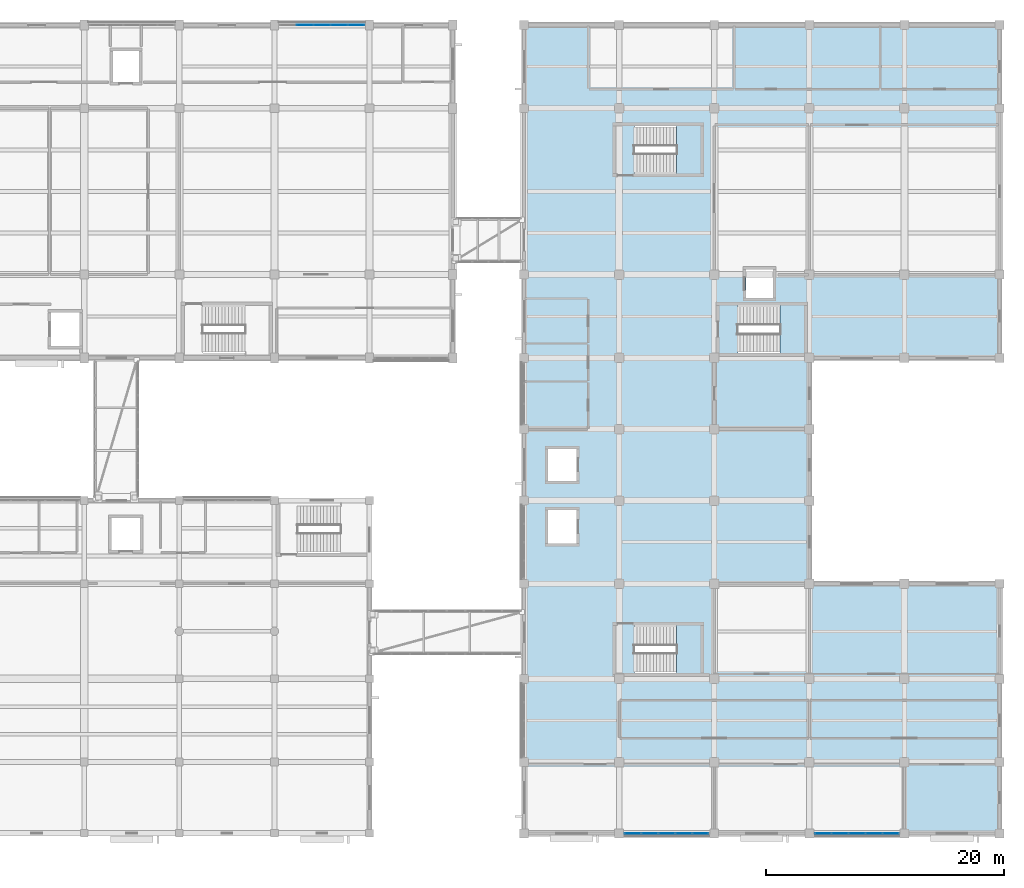
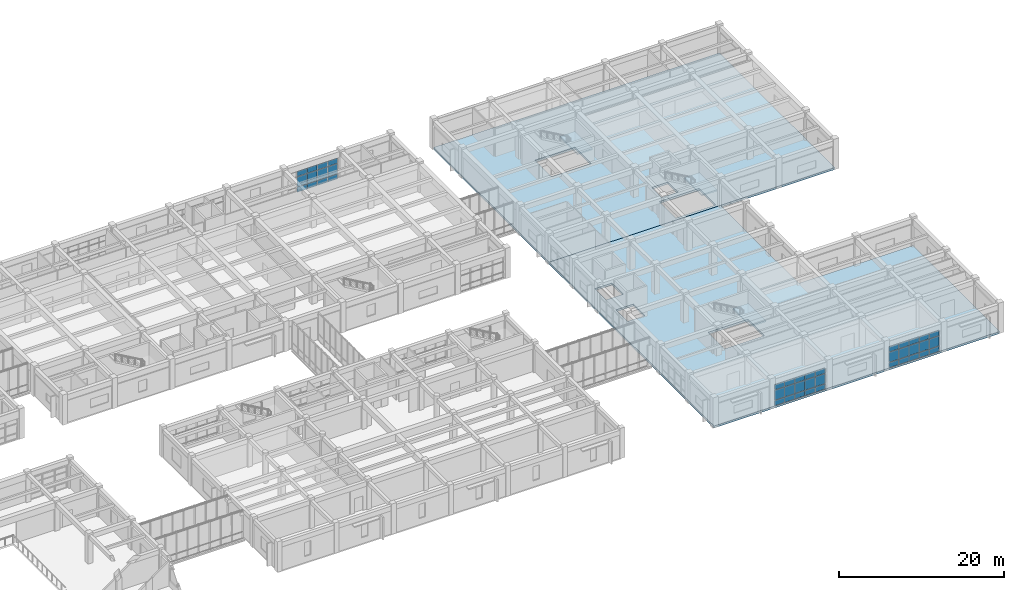
# One storey, part 43 of 70: 42 plates, 5 slabs, 6 elements without a shape of their own.
"""IFC4 building model written with IfcOpenShell, lengths in metres."""

from ifc_helpers import new_model, si_unit, direction, frame, origin, origin_2d, place, context, subcontext, project, spatial, polyline, rectangle, outline, extrude, material, layer, layer_set, type_object, element, aggregate, save


model = new_model("IFC4")

# Units and contexts
model_context = context("Model", 3, precision=1e-05, world=origin(), true_north=direction((0.0, 1.0)))
body_context = subcontext(model_context, "Body", "Model", "MODEL_VIEW")
ifc_project = project(units=[si_unit("LENGTHUNIT", "METRE"), si_unit("AREAUNIT", "SQUARE_METRE"), si_unit("VOLUMEUNIT", "CUBIC_METRE"), si_unit("PLANEANGLEUNIT", "RADIAN"), si_unit("MASSUNIT", "GRAM", prefix="KILO")], contexts=[model_context])

# Site, building, storey
site_placement = place(None, origin())
site = spatial("IfcSite", under=ifc_project, at=site_placement, CompositionType="ELEMENT")
building_placement = place(site_placement, origin())
building = spatial("IfcBuilding", under=site, at=building_placement, Name="Naurynzar Civic Courthouse", CompositionType="ELEMENT")
storey_placement = place(building_placement, frame((0.0, 0.0, 5.39990234375)))
storey = spatial("IfcBuildingStorey", under=building, at=storey_placement, Name="L02", CompositionType="ELEMENT", Elevation=5.39990234375)

# Curtain wall, plates
ifc_material_1 = material(Name="Aluminium 6063-T6", Category="aluminium")
ifc_layer_1 = layer(ifc_material_1, 0.179931640625)
ifc_layer_set_1 = layer_set([ifc_layer_1], Name="CW-UNIT-1500")
curtain_wall_type = type_object("IfcCurtainWallType", Name="CW-UNIT-1500", PredefinedType="NOTDEFINED", material=ifc_layer_set_1)
curtain_wall_1_placement = place(storey_placement, origin())
curtain_wall_1 = element("IfcCurtainWall", 1, at=curtain_wall_1_placement, inside=storey, type_object=curtain_wall_type, Name="V2 unitised curtain wall 22 L02", PredefinedType="NOTDEFINED")
ifc_material_2 = material(Name="Tempered Laminated Low-E Glass", Category="glass")
ifc_layer_2 = layer(ifc_material_2, 0.031982421875)
ifc_layer_set_2 = layer_set([ifc_layer_2], Name="CWP-IGU-32")
plate_type = type_object("IfcPlateType", Name="CWP-IGU-32", PredefinedType="CURTAIN_PANEL", material=ifc_layer_set_2)
plate_1_placement = place(storey_placement, frame((111.56005859375, 72.0, 0.06005859375), z_axis=(0.0, 0.0, 1.0), x_axis=(1.0, 0.0, 0.0)))
plate_1 = element("IfcPlate", 2, at=plate_1_placement, type_object=plate_type, Name="CW-01 panel 2.1", PredefinedType="CURTAIN_PANEL", context=body_context, shape_type="SweptSolid", body=[
    extrude(rectangle(XDim=1.3798828125, YDim=0.031982421875, at=origin_2d()), origin(), (0.0, 0.0, 1.0), 0.760009765625),
])
plate_2_placement = place(storey_placement, frame((111.56005859375, 72.0, 0.8798828125), z_axis=(0.0, 0.0, 1.0), x_axis=(1.0, 0.0, 0.0)))
plate_2 = element("IfcPlate", 3, at=plate_2_placement, type_object=plate_type, Name="CW-01 panel 2.2", PredefinedType="CURTAIN_PANEL", context=body_context, shape_type="SweptSolid", body=[
    extrude(rectangle(XDim=1.3798828125, YDim=0.031982421875, at=origin_2d()), origin(), (0.0, 0.0, 1.0), 1.469970703125),
])
plate_3_placement = place(storey_placement, frame((111.56005859375, 72.0, 2.41015625), z_axis=(0.0, 0.0, 1.0), x_axis=(1.0, 0.0, 0.0)))
plate_3 = element("IfcPlate", 4, at=plate_3_placement, type_object=plate_type, Name="CW-01 panel 2.3", PredefinedType="CURTAIN_PANEL", context=body_context, shape_type="SweptSolid", body=[
    extrude(rectangle(XDim=1.3798828125, YDim=0.031982421875, at=origin_2d()), origin(), (0.0, 0.0, 1.0), 0.760009765625),
])
plate_4_placement = place(storey_placement, frame((113.0, 72.0, 0.06005859375), z_axis=(0.0, 0.0, 1.0), x_axis=(1.0, 0.0, 0.0)))
plate_4 = element("IfcPlate", 5, at=plate_4_placement, type_object=plate_type, Name="CW-01 panel 3.1", PredefinedType="CURTAIN_PANEL", context=body_context, shape_type="SweptSolid", body=[
    extrude(rectangle(XDim=1.3798828125, YDim=0.031982421875, at=origin_2d()), origin(), (0.0, 0.0, 1.0), 0.760009765625),
])
plate_5_placement = place(storey_placement, frame((113.0, 72.0, 0.8798828125), z_axis=(0.0, 0.0, 1.0), x_axis=(1.0, 0.0, 0.0)))
plate_5 = element("IfcPlate", 6, at=plate_5_placement, type_object=plate_type, Name="CW-01 panel 3.2", PredefinedType="CURTAIN_PANEL", context=body_context, shape_type="SweptSolid", body=[
    extrude(rectangle(XDim=1.3798828125, YDim=0.031982421875, at=origin_2d()), origin(), (0.0, 0.0, 1.0), 1.469970703125),
])
plate_6_placement = place(storey_placement, frame((113.0, 72.0, 2.41015625), z_axis=(0.0, 0.0, 1.0), x_axis=(1.0, 0.0, 0.0)))
plate_6 = element("IfcPlate", 7, at=plate_6_placement, type_object=plate_type, Name="CW-01 panel 3.3", PredefinedType="CURTAIN_PANEL", context=body_context, shape_type="SweptSolid", body=[
    extrude(rectangle(XDim=1.3798828125, YDim=0.031982421875, at=origin_2d()), origin(), (0.0, 0.0, 1.0), 0.760009765625),
])
plate_7_placement = place(storey_placement, frame((114.43994140625, 72.0, 0.06005859375), z_axis=(0.0, 0.0, 1.0), x_axis=(1.0, 0.0, 0.0)))
plate_7 = element("IfcPlate", 8, at=plate_7_placement, type_object=plate_type, Name="CW-01 panel 4.1", PredefinedType="CURTAIN_PANEL", context=body_context, shape_type="SweptSolid", body=[
    extrude(rectangle(XDim=1.3798828125, YDim=0.031982421875, at=origin_2d()), origin(), (0.0, 0.0, 1.0), 0.760009765625),
])
plate_8_placement = place(storey_placement, frame((114.43994140625, 72.0, 0.8798828125), z_axis=(0.0, 0.0, 1.0), x_axis=(1.0, 0.0, 0.0)))
plate_8 = element("IfcPlate", 9, at=plate_8_placement, type_object=plate_type, Name="CW-01 panel 4.2", PredefinedType="CURTAIN_PANEL", context=body_context, shape_type="SweptSolid", body=[
    extrude(rectangle(XDim=1.3798828125, YDim=0.031982421875, at=origin_2d()), origin(), (0.0, 0.0, 1.0), 1.469970703125),
])
plate_9_placement = place(storey_placement, frame((114.43994140625, 72.0, 2.41015625), z_axis=(0.0, 0.0, 1.0), x_axis=(1.0, 0.0, 0.0)))
plate_9 = element("IfcPlate", 10, at=plate_9_placement, type_object=plate_type, Name="CW-01 panel 4.3", PredefinedType="CURTAIN_PANEL", context=body_context, shape_type="SweptSolid", body=[
    extrude(rectangle(XDim=1.3798828125, YDim=0.031982421875, at=origin_2d()), origin(), (0.0, 0.0, 1.0), 0.760009765625),
])
plate_10_placement = place(storey_placement, frame((115.864990234375, 72.0, 0.06005859375), z_axis=(0.0, 0.0, 1.0), x_axis=(1.0, 0.0, 0.0)))
plate_10 = element("IfcPlate", 11, at=plate_10_placement, type_object=plate_type, Name="CW-01 panel 5.1", PredefinedType="CURTAIN_PANEL", context=body_context, shape_type="SweptSolid", body=[
    extrude(rectangle(XDim=1.35009765625, YDim=0.031982421875, at=origin_2d()), origin(), (0.0, 0.0, 1.0), 0.760009765625),
])
plate_11_placement = place(storey_placement, frame((115.864990234375, 72.0, 0.8798828125), z_axis=(0.0, 0.0, 1.0), x_axis=(1.0, 0.0, 0.0)))
plate_11 = element("IfcPlate", 12, at=plate_11_placement, type_object=plate_type, Name="CW-01 panel 5.2", PredefinedType="CURTAIN_PANEL", context=body_context, shape_type="SweptSolid", body=[
    extrude(rectangle(XDim=1.35009765625, YDim=0.031982421875, at=origin_2d()), origin(), (0.0, 0.0, 1.0), 1.469970703125),
])
plate_12_placement = place(storey_placement, frame((115.864990234375, 72.0, 2.41015625), z_axis=(0.0, 0.0, 1.0), x_axis=(1.0, 0.0, 0.0)))
plate_12 = element("IfcPlate", 13, at=plate_12_placement, type_object=plate_type, Name="CW-01 panel 5.3", PredefinedType="CURTAIN_PANEL", context=body_context, shape_type="SweptSolid", body=[
    extrude(rectangle(XDim=1.35009765625, YDim=0.031982421875, at=origin_2d()), origin(), (0.0, 0.0, 1.0), 0.760009765625),
])
aggregate(curtain_wall_1, [plate_1, plate_2, plate_3, plate_4, plate_5, plate_6, plate_7, plate_8, plate_9, plate_10, plate_11, plate_12])

curtain_wall_2_placement = place(storey_placement, origin())
curtain_wall_2 = element("IfcCurtainWall", 14, at=curtain_wall_2_placement, inside=storey, type_object=curtain_wall_type, Name="V5 unitised curtain wall 88 L02", PredefinedType="NOTDEFINED")
plate_13_placement = place(storey_placement, frame((160.844970703125, 4.0, 0.06005859375), z_axis=(0.0, 0.0, 1.0), x_axis=(-1.0, 0.0, 0.0)))
plate_13 = element("IfcPlate", 15, at=plate_13_placement, type_object=plate_type, Name="CW-01 panel 1.1", PredefinedType="CURTAIN_PANEL", context=body_context, shape_type="SweptSolid", body=[
    extrude(rectangle(XDim=1.340087890625, YDim=0.031982421875, at=origin_2d()), origin(), (0.0, 0.0, 1.0), 0.760009765625),
])
plate_14_placement = place(storey_placement, frame((160.844970703125, 4.0, 0.8798828125), z_axis=(0.0, 0.0, 1.0), x_axis=(-1.0, 0.0, 0.0)))
plate_14 = element("IfcPlate", 16, at=plate_14_placement, type_object=plate_type, Name="CW-01 panel 1.2", PredefinedType="CURTAIN_PANEL", context=body_context, shape_type="SweptSolid", body=[
    extrude(rectangle(XDim=1.340087890625, YDim=0.031982421875, at=origin_2d()), origin(), (0.0, 0.0, 1.0), 1.469970703125),
])
plate_15_placement = place(storey_placement, frame((160.844970703125, 4.0, 2.41015625), z_axis=(0.0, 0.0, 1.0), x_axis=(-1.0, 0.0, 0.0)))
plate_15 = element("IfcPlate", 17, at=plate_15_placement, type_object=plate_type, Name="CW-01 panel 1.3", PredefinedType="CURTAIN_PANEL", context=body_context, shape_type="SweptSolid", body=[
    extrude(rectangle(XDim=1.340087890625, YDim=0.031982421875, at=origin_2d()), origin(), (0.0, 0.0, 1.0), 0.760009765625),
])
plate_16_placement = place(storey_placement, frame((159.429931640625, 4.0, 0.06005859375), z_axis=(0.0, 0.0, 1.0), x_axis=(-1.0, 0.0, 0.0)))
plate_16 = element("IfcPlate", 18, at=plate_16_placement, type_object=plate_type, Name="CW-01 panel 2.1", PredefinedType="CURTAIN_PANEL", context=body_context, shape_type="SweptSolid", body=[
    extrude(rectangle(XDim=1.3701171875, YDim=0.031982421875, at=origin_2d()), origin(), (0.0, 0.0, 1.0), 0.760009765625),
])
plate_17_placement = place(storey_placement, frame((159.429931640625, 4.0, 0.8798828125), z_axis=(0.0, 0.0, 1.0), x_axis=(-1.0, 0.0, 0.0)))
plate_17 = element("IfcPlate", 19, at=plate_17_placement, type_object=plate_type, Name="CW-01 panel 2.2", PredefinedType="CURTAIN_PANEL", context=body_context, shape_type="SweptSolid", body=[
    extrude(rectangle(XDim=1.3701171875, YDim=0.031982421875, at=origin_2d()), origin(), (0.0, 0.0, 1.0), 1.469970703125),
])
plate_18_placement = place(storey_placement, frame((159.429931640625, 4.0, 2.41015625), z_axis=(0.0, 0.0, 1.0), x_axis=(-1.0, 0.0, 0.0)))
plate_18 = element("IfcPlate", 20, at=plate_18_placement, type_object=plate_type, Name="CW-01 panel 2.3", PredefinedType="CURTAIN_PANEL", context=body_context, shape_type="SweptSolid", body=[
    extrude(rectangle(XDim=1.3701171875, YDim=0.031982421875, at=origin_2d()), origin(), (0.0, 0.0, 1.0), 0.760009765625),
])
plate_19_placement = place(storey_placement, frame((158.0, 4.0, 0.06005859375), z_axis=(0.0, 0.0, 1.0), x_axis=(-1.0, 0.0, 0.0)))
plate_19 = element("IfcPlate", 21, at=plate_19_placement, type_object=plate_type, Name="CW-01 panel 3.1", PredefinedType="CURTAIN_PANEL", context=body_context, shape_type="SweptSolid", body=[
    extrude(rectangle(XDim=1.3701171875, YDim=0.031982421875, at=origin_2d()), origin(), (0.0, 0.0, 1.0), 0.760009765625),
])
plate_20_placement = place(storey_placement, frame((158.0, 4.0, 0.8798828125), z_axis=(0.0, 0.0, 1.0), x_axis=(-1.0, 0.0, 0.0)))
plate_20 = element("IfcPlate", 22, at=plate_20_placement, type_object=plate_type, Name="CW-01 panel 3.2", PredefinedType="CURTAIN_PANEL", context=body_context, shape_type="SweptSolid", body=[
    extrude(rectangle(XDim=1.3701171875, YDim=0.031982421875, at=origin_2d()), origin(), (0.0, 0.0, 1.0), 1.469970703125),
])
plate_21_placement = place(storey_placement, frame((158.0, 4.0, 2.41015625), z_axis=(0.0, 0.0, 1.0), x_axis=(-1.0, 0.0, 0.0)))
plate_21 = element("IfcPlate", 23, at=plate_21_placement, type_object=plate_type, Name="CW-01 panel 3.3", PredefinedType="CURTAIN_PANEL", context=body_context, shape_type="SweptSolid", body=[
    extrude(rectangle(XDim=1.3701171875, YDim=0.031982421875, at=origin_2d()), origin(), (0.0, 0.0, 1.0), 0.760009765625),
])
plate_22_placement = place(storey_placement, frame((156.570068359375, 4.0, 0.06005859375), z_axis=(0.0, 0.0, 1.0), x_axis=(-1.0, 0.0, 0.0)))
plate_22 = element("IfcPlate", 24, at=plate_22_placement, type_object=plate_type, Name="CW-01 panel 4.1", PredefinedType="CURTAIN_PANEL", context=body_context, shape_type="SweptSolid", body=[
    extrude(rectangle(XDim=1.3701171875, YDim=0.031982421875, at=origin_2d()), origin(), (0.0, 0.0, 1.0), 0.760009765625),
])
plate_23_placement = place(storey_placement, frame((156.570068359375, 4.0, 0.8798828125), z_axis=(0.0, 0.0, 1.0), x_axis=(-1.0, 0.0, 0.0)))
plate_23 = element("IfcPlate", 25, at=plate_23_placement, type_object=plate_type, Name="CW-01 panel 4.2", PredefinedType="CURTAIN_PANEL", context=body_context, shape_type="SweptSolid", body=[
    extrude(rectangle(XDim=1.3701171875, YDim=0.031982421875, at=origin_2d()), origin(), (0.0, 0.0, 1.0), 1.469970703125),
])
plate_24_placement = place(storey_placement, frame((156.570068359375, 4.0, 2.41015625), z_axis=(0.0, 0.0, 1.0), x_axis=(-1.0, 0.0, 0.0)))
plate_24 = element("IfcPlate", 26, at=plate_24_placement, type_object=plate_type, Name="CW-01 panel 4.3", PredefinedType="CURTAIN_PANEL", context=body_context, shape_type="SweptSolid", body=[
    extrude(rectangle(XDim=1.3701171875, YDim=0.031982421875, at=origin_2d()), origin(), (0.0, 0.0, 1.0), 0.760009765625),
])
plate_25_placement = place(storey_placement, frame((155.155029296875, 4.0, 0.06005859375), z_axis=(0.0, 0.0, 1.0), x_axis=(-1.0, 0.0, 0.0)))
plate_25 = element("IfcPlate", 27, at=plate_25_placement, type_object=plate_type, Name="CW-01 panel 5.1", PredefinedType="CURTAIN_PANEL", context=body_context, shape_type="SweptSolid", body=[
    extrude(rectangle(XDim=1.340087890625, YDim=0.031982421875, at=origin_2d()), origin(), (0.0, 0.0, 1.0), 0.760009765625),
])
plate_26_placement = place(storey_placement, frame((155.155029296875, 4.0, 0.8798828125), z_axis=(0.0, 0.0, 1.0), x_axis=(-1.0, 0.0, 0.0)))
plate_26 = element("IfcPlate", 28, at=plate_26_placement, type_object=plate_type, Name="CW-01 panel 5.2", PredefinedType="CURTAIN_PANEL", context=body_context, shape_type="SweptSolid", body=[
    extrude(rectangle(XDim=1.340087890625, YDim=0.031982421875, at=origin_2d()), origin(), (0.0, 0.0, 1.0), 1.469970703125),
])
plate_27_placement = place(storey_placement, frame((155.155029296875, 4.0, 2.41015625), z_axis=(0.0, 0.0, 1.0), x_axis=(-1.0, 0.0, 0.0)))
plate_27 = element("IfcPlate", 29, at=plate_27_placement, type_object=plate_type, Name="CW-01 panel 5.3", PredefinedType="CURTAIN_PANEL", context=body_context, shape_type="SweptSolid", body=[
    extrude(rectangle(XDim=1.340087890625, YDim=0.031982421875, at=origin_2d()), origin(), (0.0, 0.0, 1.0), 0.760009765625),
])
aggregate(curtain_wall_2, [plate_13, plate_14, plate_15, plate_16, plate_17, plate_18, plate_19, plate_20, plate_21, plate_22, plate_23, plate_24, plate_25, plate_26, plate_27])

curtain_wall_3_placement = place(storey_placement, origin())
curtain_wall_3 = element("IfcCurtainWall", 30, at=curtain_wall_3_placement, inside=storey, type_object=curtain_wall_type, Name="V5 unitised curtain wall 89 L02", PredefinedType="NOTDEFINED")
plate_28_placement = place(storey_placement, frame((144.844970703125, 4.0, 0.06005859375), z_axis=(0.0, 0.0, 1.0), x_axis=(-1.0, 0.0, 0.0)))
plate_28 = element("IfcPlate", 31, at=plate_28_placement, type_object=plate_type, Name="CW-01 panel 1.1", PredefinedType="CURTAIN_PANEL", context=body_context, shape_type="SweptSolid", body=[
    extrude(rectangle(XDim=1.340087890625, YDim=0.031982421875, at=origin_2d()), origin(), (0.0, 0.0, 1.0), 0.760009765625),
])
plate_29_placement = place(storey_placement, frame((144.844970703125, 4.0, 0.8798828125), z_axis=(0.0, 0.0, 1.0), x_axis=(-1.0, 0.0, 0.0)))
plate_29 = element("IfcPlate", 32, at=plate_29_placement, type_object=plate_type, Name="CW-01 panel 1.2", PredefinedType="CURTAIN_PANEL", context=body_context, shape_type="SweptSolid", body=[
    extrude(rectangle(XDim=1.340087890625, YDim=0.031982421875, at=origin_2d()), origin(), (0.0, 0.0, 1.0), 1.469970703125),
])
plate_30_placement = place(storey_placement, frame((144.844970703125, 4.0, 2.41015625), z_axis=(0.0, 0.0, 1.0), x_axis=(-1.0, 0.0, 0.0)))
plate_30 = element("IfcPlate", 33, at=plate_30_placement, type_object=plate_type, Name="CW-01 panel 1.3", PredefinedType="CURTAIN_PANEL", context=body_context, shape_type="SweptSolid", body=[
    extrude(rectangle(XDim=1.340087890625, YDim=0.031982421875, at=origin_2d()), origin(), (0.0, 0.0, 1.0), 0.760009765625),
])
plate_31_placement = place(storey_placement, frame((143.429931640625, 4.0, 0.06005859375), z_axis=(0.0, 0.0, 1.0), x_axis=(-1.0, 0.0, 0.0)))
plate_31 = element("IfcPlate", 34, at=plate_31_placement, type_object=plate_type, Name="CW-01 panel 2.1", PredefinedType="CURTAIN_PANEL", context=body_context, shape_type="SweptSolid", body=[
    extrude(rectangle(XDim=1.3701171875, YDim=0.031982421875, at=origin_2d()), origin(), (0.0, 0.0, 1.0), 0.760009765625),
])
plate_32_placement = place(storey_placement, frame((143.429931640625, 4.0, 0.8798828125), z_axis=(0.0, 0.0, 1.0), x_axis=(-1.0, 0.0, 0.0)))
plate_32 = element("IfcPlate", 35, at=plate_32_placement, type_object=plate_type, Name="CW-01 panel 2.2", PredefinedType="CURTAIN_PANEL", context=body_context, shape_type="SweptSolid", body=[
    extrude(rectangle(XDim=1.3701171875, YDim=0.031982421875, at=origin_2d()), origin(), (0.0, 0.0, 1.0), 1.469970703125),
])
plate_33_placement = place(storey_placement, frame((143.429931640625, 4.0, 2.41015625), z_axis=(0.0, 0.0, 1.0), x_axis=(-1.0, 0.0, 0.0)))
plate_33 = element("IfcPlate", 36, at=plate_33_placement, type_object=plate_type, Name="CW-01 panel 2.3", PredefinedType="CURTAIN_PANEL", context=body_context, shape_type="SweptSolid", body=[
    extrude(rectangle(XDim=1.3701171875, YDim=0.031982421875, at=origin_2d()), origin(), (0.0, 0.0, 1.0), 0.760009765625),
])
plate_34_placement = place(storey_placement, frame((142.0, 4.0, 0.06005859375), z_axis=(0.0, 0.0, 1.0), x_axis=(-1.0, 0.0, 0.0)))
plate_34 = element("IfcPlate", 37, at=plate_34_placement, type_object=plate_type, Name="CW-01 panel 3.1", PredefinedType="CURTAIN_PANEL", context=body_context, shape_type="SweptSolid", body=[
    extrude(rectangle(XDim=1.3701171875, YDim=0.031982421875, at=origin_2d()), origin(), (0.0, 0.0, 1.0), 0.760009765625),
])
plate_35_placement = place(storey_placement, frame((142.0, 4.0, 0.8798828125), z_axis=(0.0, 0.0, 1.0), x_axis=(-1.0, 0.0, 0.0)))
plate_35 = element("IfcPlate", 38, at=plate_35_placement, type_object=plate_type, Name="CW-01 panel 3.2", PredefinedType="CURTAIN_PANEL", context=body_context, shape_type="SweptSolid", body=[
    extrude(rectangle(XDim=1.3701171875, YDim=0.031982421875, at=origin_2d()), origin(), (0.0, 0.0, 1.0), 1.469970703125),
])
plate_36_placement = place(storey_placement, frame((142.0, 4.0, 2.41015625), z_axis=(0.0, 0.0, 1.0), x_axis=(-1.0, 0.0, 0.0)))
plate_36 = element("IfcPlate", 39, at=plate_36_placement, type_object=plate_type, Name="CW-01 panel 3.3", PredefinedType="CURTAIN_PANEL", context=body_context, shape_type="SweptSolid", body=[
    extrude(rectangle(XDim=1.3701171875, YDim=0.031982421875, at=origin_2d()), origin(), (0.0, 0.0, 1.0), 0.760009765625),
])
plate_37_placement = place(storey_placement, frame((140.570068359375, 4.0, 0.06005859375), z_axis=(0.0, 0.0, 1.0), x_axis=(-1.0, 0.0, 0.0)))
plate_37 = element("IfcPlate", 40, at=plate_37_placement, type_object=plate_type, Name="CW-01 panel 4.1", PredefinedType="CURTAIN_PANEL", context=body_context, shape_type="SweptSolid", body=[
    extrude(rectangle(XDim=1.3701171875, YDim=0.031982421875, at=origin_2d()), origin(), (0.0, 0.0, 1.0), 0.760009765625),
])
plate_38_placement = place(storey_placement, frame((140.570068359375, 4.0, 0.8798828125), z_axis=(0.0, 0.0, 1.0), x_axis=(-1.0, 0.0, 0.0)))
plate_38 = element("IfcPlate", 41, at=plate_38_placement, type_object=plate_type, Name="CW-01 panel 4.2", PredefinedType="CURTAIN_PANEL", context=body_context, shape_type="SweptSolid", body=[
    extrude(rectangle(XDim=1.3701171875, YDim=0.031982421875, at=origin_2d()), origin(), (0.0, 0.0, 1.0), 1.469970703125),
])
plate_39_placement = place(storey_placement, frame((140.570068359375, 4.0, 2.41015625), z_axis=(0.0, 0.0, 1.0), x_axis=(-1.0, 0.0, 0.0)))
plate_39 = element("IfcPlate", 42, at=plate_39_placement, type_object=plate_type, Name="CW-01 panel 4.3", PredefinedType="CURTAIN_PANEL", context=body_context, shape_type="SweptSolid", body=[
    extrude(rectangle(XDim=1.3701171875, YDim=0.031982421875, at=origin_2d()), origin(), (0.0, 0.0, 1.0), 0.760009765625),
])
plate_40_placement = place(storey_placement, frame((139.155029296875, 4.0, 0.06005859375), z_axis=(0.0, 0.0, 1.0), x_axis=(-1.0, 0.0, 0.0)))
plate_40 = element("IfcPlate", 43, at=plate_40_placement, type_object=plate_type, Name="CW-01 panel 5.1", PredefinedType="CURTAIN_PANEL", context=body_context, shape_type="SweptSolid", body=[
    extrude(rectangle(XDim=1.340087890625, YDim=0.031982421875, at=origin_2d()), origin(), (0.0, 0.0, 1.0), 0.760009765625),
])
plate_41_placement = place(storey_placement, frame((139.155029296875, 4.0, 0.8798828125), z_axis=(0.0, 0.0, 1.0), x_axis=(-1.0, 0.0, 0.0)))
plate_41 = element("IfcPlate", 44, at=plate_41_placement, type_object=plate_type, Name="CW-01 panel 5.2", PredefinedType="CURTAIN_PANEL", context=body_context, shape_type="SweptSolid", body=[
    extrude(rectangle(XDim=1.340087890625, YDim=0.031982421875, at=origin_2d()), origin(), (0.0, 0.0, 1.0), 1.469970703125),
])
plate_42_placement = place(storey_placement, frame((139.155029296875, 4.0, 2.41015625), z_axis=(0.0, 0.0, 1.0), x_axis=(-1.0, 0.0, 0.0)))
plate_42 = element("IfcPlate", 45, at=plate_42_placement, type_object=plate_type, Name="CW-01 panel 5.3", PredefinedType="CURTAIN_PANEL", context=body_context, shape_type="SweptSolid", body=[
    extrude(rectangle(XDim=1.340087890625, YDim=0.031982421875, at=origin_2d()), origin(), (0.0, 0.0, 1.0), 0.760009765625),
])
aggregate(curtain_wall_3, [plate_28, plate_29, plate_30, plate_31, plate_32, plate_33, plate_34, plate_35, plate_36, plate_37, plate_38, plate_39, plate_40, plate_41, plate_42])

# Stair, slab
ifc_material_3 = material(Name="Concrete C35/45", Category="concrete")
stair_type_1 = type_object("IfcStairType", Name="STAIR-CORE-1600", PredefinedType="TWO_STRAIGHT_RUN_STAIR", material=ifc_material_3)
stair_1_placement = place(storey_placement, origin())
stair_1 = element("IfcStair", 46, at=stair_1_placement, inside=storey, type_object=stair_type_1, Name="Enclosed escape stair ST-V5A L02", PredefinedType="TWO_STRAIGHT_RUN_STAIR")
ifc_material_4 = material(Name="Concrete C35/45", Category="concrete")
ifc_layer_3 = layer(ifc_material_4, 0.199951171875)
ifc_layer_set_3 = layer_set([ifc_layer_3], Name="SLB-LAND-200")
slab_type_1 = type_object("IfcSlabType", Name="SLB-LAND-200", PredefinedType="LANDING", material=ifc_layer_set_3)
slab_1_placement = place(storey_placement, frame((0.0, 0.0, 2.050048828125)))
slab_1 = element("IfcSlab", 47, at=slab_1_placement, type_object=slab_type_1, Name="ST-V5A-L02 landing 1", PredefinedType="LANDING", context=body_context, shape_type="SweptSolid", body=[
    extrude(outline(polyline([(142.840087890625, 17.3798828125), (144.969970703125, 17.3798828125), (144.969970703125, 21.6201171875), (142.840087890625, 21.6201171875), (142.840087890625, 17.3798828125)])), origin(), (0.0, 0.0, 1.0), 0.199951171875),
])
aggregate(stair_1, [slab_1])

stair_2_placement = place(storey_placement, origin())
stair_2 = element("IfcStair", 48, at=stair_2_placement, inside=storey, type_object=stair_type_1, Name="Enclosed escape stair ST-V5B L02", PredefinedType="TWO_STRAIGHT_RUN_STAIR")
slab_2_placement = place(storey_placement, frame((0.0, 0.0, 2.050048828125)))
slab_2 = element("IfcSlab", 49, at=slab_2_placement, type_object=slab_type_1, Name="ST-V5B-L02 landing 1", PredefinedType="LANDING", context=body_context, shape_type="SweptSolid", body=[
    extrude(outline(polyline([(142.840087890625, 59.3798828125), (144.969970703125, 59.3798828125), (144.969970703125, 63.6201171875), (142.840087890625, 63.6201171875), (142.840087890625, 59.3798828125)])), origin(), (0.0, 0.0, 1.0), 0.199951171875),
])
aggregate(stair_2, [slab_2])

ifc_material_5 = material(Name="Concrete C35/45", Category="concrete")
stair_type_2 = type_object("IfcStairType", Name="STAIR-CUS-1550", PredefinedType="TWO_STRAIGHT_RUN_STAIR", material=ifc_material_5)
stair_3_placement = place(storey_placement, origin())
stair_3 = element("IfcStair", 50, at=stair_3_placement, inside=storey, type_object=stair_type_2, Name="Enclosed escape stair ST-CUS L02", PredefinedType="TWO_STRAIGHT_RUN_STAIR")
slab_3_placement = place(storey_placement, frame((0.0, 0.0, 2.050048828125)))
slab_3 = element("IfcSlab", 51, at=slab_3_placement, type_object=slab_type_1, Name="ST-CUS-L02 landing 1", PredefinedType="LANDING", context=body_context, shape_type="SweptSolid", body=[
    extrude(outline(polyline([(151.5400390625, 44.280029296875), (153.669921875, 44.280029296875), (153.669921875, 48.52001953125), (151.5400390625, 48.52001953125), (151.5400390625, 44.280029296875)])), origin(), (0.0, 0.0, 1.0), 0.199951171875),
])
aggregate(stair_3, [slab_3])

# Slabs
ifc_material_6 = material(Name="Concrete C35/45", Category="concrete")
ifc_layer_4 = layer(ifc_material_6, 0.300048828125)
ifc_layer_set_4 = layer_set([ifc_layer_4], Name="SLB-PT-300")
slab_type_2 = type_object("IfcSlabType", Name="SLB-PT-300", PredefinedType="FLOOR", material=ifc_layer_set_4)
slab_4_placement = place(storey_placement, frame((0.0, 0.0, -0.2998046875)))
element("IfcSlab", 52, at=slab_4_placement, inside=storey, type_object=slab_type_2, Name="V5 floor slab L02 S", PredefinedType="FLOOR", context=body_context, shape_type="SweptSolid", body=[
    extrude(outline(polyline([(170.0, 4.0), (130.0, 4.0), (130.0, 44.0), (154.0, 44.0), (154.0, 25.0), (170.0, 25.0), (170.0, 4.0)]), holes=[polyline([(139.280029296875, 17.5), (144.85009765625, 17.5), (144.85009765625, 21.5), (139.280029296875, 21.5), (139.280029296875, 17.5)]), polyline([(132.0, 33.64990234375), (134.39990234375, 33.64990234375), (134.39990234375, 36.35009765625), (132.0, 36.35009765625), (132.0, 33.64990234375)]), polyline([(132.0, 28.39990234375), (134.39990234375, 28.39990234375), (134.39990234375, 31.199951171875), (132.0, 31.199951171875), (132.0, 28.39990234375)])]), origin(), (0.0, 0.0, 1.0), 0.2998046875),
])
slab_5_placement = place(storey_placement, frame((0.0, 0.0, -0.2998046875)))
element("IfcSlab", 53, at=slab_5_placement, inside=storey, type_object=slab_type_2, Name="V5 floor slab L02 N", PredefinedType="FLOOR", context=body_context, shape_type="SweptSolid", body=[
    extrude(outline(polyline([(170.0, 44.0), (170.0, 72.0), (130.0, 72.0), (130.0, 44.0), (170.0, 44.0)]), holes=[polyline([(139.280029296875, 59.5), (144.85009765625, 59.5), (144.85009765625, 63.5), (139.280029296875, 63.5), (139.280029296875, 59.5)]), polyline([(147.97998046875, 44.39990234375), (153.550048828125, 44.39990234375), (153.550048828125, 48.39990234375), (147.97998046875, 48.39990234375), (147.97998046875, 44.39990234375)]), polyline([(148.64990234375, 49.050048828125), (150.949951171875, 49.050048828125), (150.949951171875, 51.449951171875), (148.64990234375, 51.449951171875), (148.64990234375, 49.050048828125)])]), origin(), (0.0, 0.0, 1.0), 0.2998046875),
])

save(model, "model.ifc")
